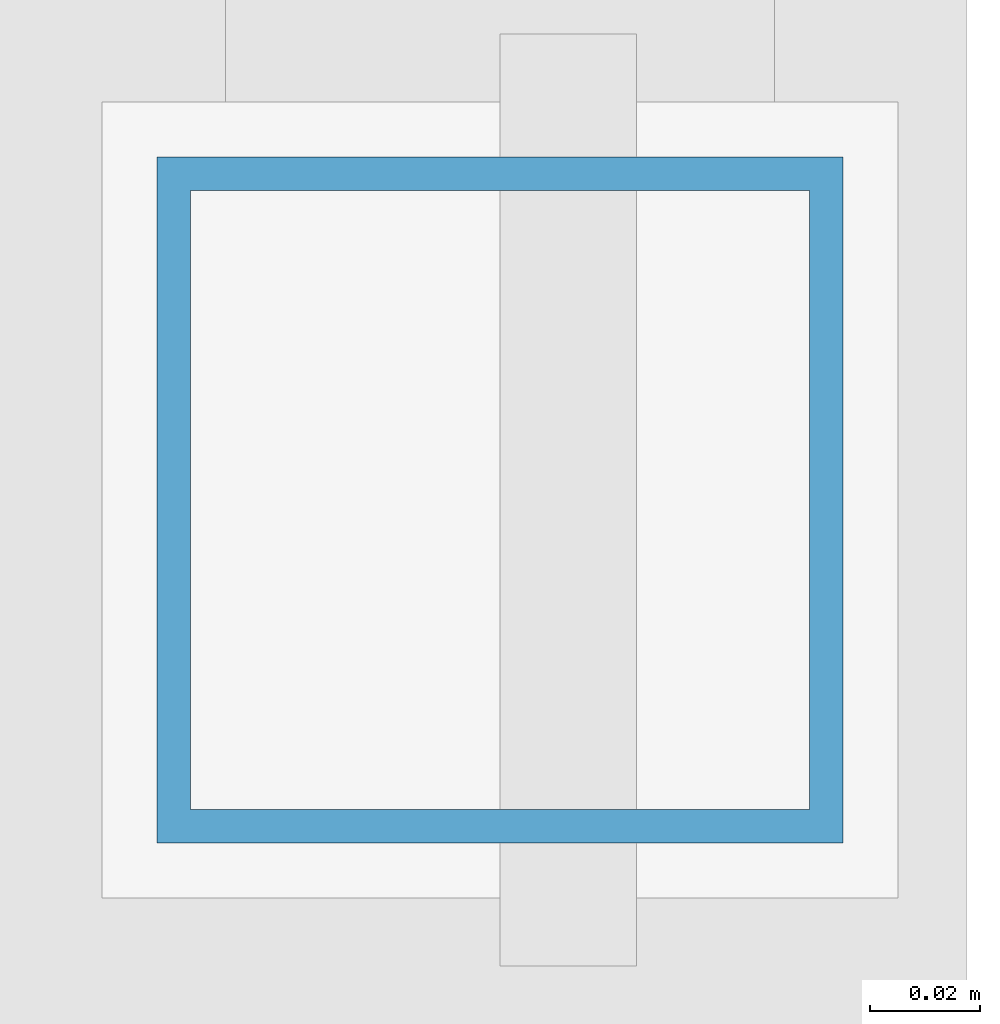
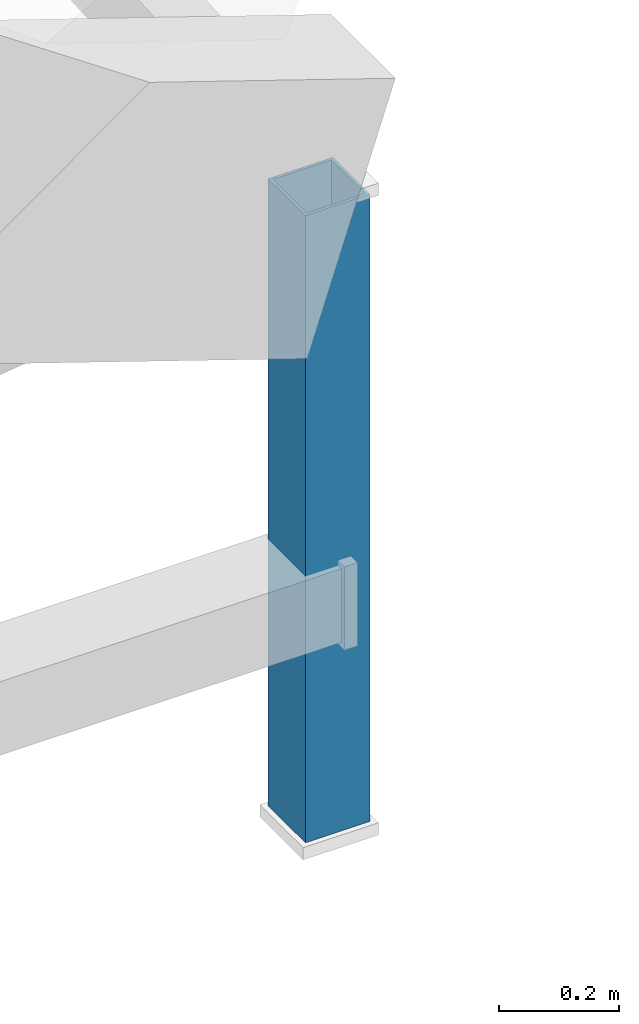
# One storey, part 20 of 134: 1 member.
"""IFC4 building model written with IfcOpenShell, lengths in metres."""

import ifcopenshell
import ifcopenshell.guid

model = None  # the IFC model being written
_history = None  # IfcOwnerHistory: only IFC2X3 demands one
_inside = {}  # id of a spatial element -> (the spatial element, [elements in it])
_under = {}  # id of a project, library or spatial element -> (it, [spatial elements below it])
_declared = {}  # id of a project -> (the project, [libraries it declares])
_typed = {}  # id of a type object -> (the type object, [elements of that type])
_made_of = {}  # id of a material, layer set ... -> (it, [elements and type objects made of it])


def new_model(schema):
    """Start an empty IFC model of exactly this schema.

    Asked for "IFC4X3", IfcOpenShell would pick the latest addendum, in which some entities
    have other attributes; the version numbers below select the first issue.
    IFC2X3 requires an IfcOwnerHistory on every rooted entity: one is made here for all.
    """
    global model, _history
    if schema == "IFC4X3":
        model = ifcopenshell.file(schema_version=(4, 3, 0, 0))
    else:
        model = ifcopenshell.file(schema=schema)
    _inside.clear()
    _under.clear()
    _declared.clear()
    _typed.clear()
    _made_of.clear()
    _history = None
    if model.schema == "IFC2X3":
        org = make("IfcOrganization", Name="unknown")
        user = make(
            "IfcPersonAndOrganization",
            ThePerson=make("IfcPerson", FamilyName="unknown"),
            TheOrganization=org,
        )
        app = make(
            "IfcApplication",
            ApplicationDeveloper=org,
            Version="unknown",
            ApplicationFullName="unknown",
            ApplicationIdentifier="unknown",
        )
        _history = make(
            "IfcOwnerHistory",
            OwningUser=user,
            OwningApplication=app,
            ChangeAction="ADDED",
            CreationDate=0,
        )
    return model


def make(cls, **values):
    """One entity of the class cls with the attributes given. An attribute that is None is left unset."""
    return model.create_entity(
        cls, **{name: value for name, value in values.items() if value is not None}
    )


def rooted(cls, **values):
    """An entity with a GlobalId (a new one), such as an element, a storey or a relation."""
    return make(cls, GlobalId=ifcopenshell.guid.new(), OwnerHistory=_history, **values)


def si_unit(unit_type, name, prefix=None):
    """IfcSIUnit, for example si_unit("LENGTHUNIT", "METRE", prefix="MILLI")."""
    return make("IfcSIUnit", UnitType=unit_type, Prefix=prefix, Name=name)


def assignment(units):
    """IfcUnitAssignment: the units of a project."""
    return None if units is None else make("IfcUnitAssignment", Units=units)


def point(xyz):
    """IfcCartesianPoint."""
    return None if xyz is None else make("IfcCartesianPoint", Coordinates=xyz)


def direction(xyz):
    """IfcDirection."""
    return None if xyz is None else make("IfcDirection", DirectionRatios=xyz)


def frame(location, z_axis=None, x_axis=None):
    """IfcAxis2Placement3D, a coordinate frame: its origin and axes. An axis left out is left unset."""
    return make(
        "IfcAxis2Placement3D",
        Location=point(location),
        Axis=direction(z_axis),
        RefDirection=direction(x_axis),
    )


def frame_2d(location, x_axis=None):
    """IfcAxis2Placement2D, a coordinate frame in the plane: its origin and x axis."""
    return make(
        "IfcAxis2Placement2D", Location=point(location), RefDirection=direction(x_axis)
    )


def origin():
    """The frame at (0, 0, 0) with its axes left unset."""
    return frame((0.0, 0.0, 0.0))


def origin_2d():
    """The frame at (0, 0) in the plane with its x axis left unset."""
    return frame_2d((0.0, 0.0))


def place(relative_to, where):
    """IfcLocalPlacement: puts the frame where relative to a parent placement (None: the world)."""
    return make(
        "IfcLocalPlacement", PlacementRelTo=relative_to, RelativePlacement=where
    )


def context(
    kind, dimensions, precision=None, world=None, true_north=None, identifier=None
):
    """IfcGeometricRepresentationContext, for example the 3D "Model" context."""
    return make(
        "IfcGeometricRepresentationContext",
        ContextIdentifier=identifier,
        ContextType=kind,
        CoordinateSpaceDimension=dimensions,
        Precision=precision,
        WorldCoordinateSystem=world,
        TrueNorth=true_north,
    )


def subcontext(parent, identifier, kind, view, scale=None):
    """IfcGeometricRepresentationSubContext, for example "Body" below "Model"."""
    return make(
        "IfcGeometricRepresentationSubContext",
        ContextIdentifier=identifier,
        ContextType=kind,
        ParentContext=parent,
        TargetScale=scale,
        TargetView=view,
    )


def project(units=None, contexts=None):
    """IfcProject with its units and contexts."""
    return rooted(
        "IfcProject",
        Name="project",
        RepresentationContexts=contexts,
        UnitsInContext=assignment(units),
    )


def spatial(cls, under=None, at=None, **own):
    """A site, building, storey or space (cls), placed at a placement, below another one or the project."""
    s = rooted(cls, ObjectPlacement=at, **own)
    if under is not None:
        _under.setdefault(under.id(), (under, []))[1].append(s)
    return s


def profile(cls, at=None, kind="AREA", **sizes):
    """A parametric profile (cls). Its sizes go by their IFC names, for example OverallWidth=200.0."""
    return make(cls, ProfileType=kind, Position=at, **sizes)


def hollow_rectangle(**sizes):
    """IfcRectangleHollowProfileDef."""
    return profile("IfcRectangleHollowProfileDef", **sizes)


def extrude(swept, where, along, depth):
    """IfcExtrudedAreaSolid: the profile swept, set in the frame where, extruded along a direction by depth."""
    return make(
        "IfcExtrudedAreaSolid",
        SweptArea=swept,
        Position=where,
        ExtrudedDirection=direction(along),
        Depth=depth,
    )


def shape(context_of_items, identifier, shape_type, items):
    """IfcShapeRepresentation: the items that make up one representation, for example the "Body"."""
    return make(
        "IfcShapeRepresentation",
        ContextOfItems=context_of_items,
        RepresentationIdentifier=identifier,
        RepresentationType=shape_type,
        Items=items,
    )


def material(Name=None, Category=None):
    """IfcMaterial."""
    return make("IfcMaterial", Name=Name, Category=Category)


def material_profile(
    of_material, cross_section, Name=None, Category=None, Priority=None
):
    """IfcMaterialProfile: a cross section and its material."""
    return make(
        "IfcMaterialProfile",
        Name=Name,
        Material=of_material,
        Profile=cross_section,
        Priority=Priority,
        Category=Category,
    )


def profile_set(profiles, Name=None, composite=None):
    """IfcMaterialProfileSet."""
    return make(
        "IfcMaterialProfileSet",
        Name=Name,
        MaterialProfiles=profiles,
        CompositeProfile=composite,
    )


def made_of(thing, what):
    """Note that an element or type object is made of a material, layer set ...; save() writes the relation."""
    if what is not None:
        _made_of.setdefault(what.id(), (what, []))[1].append(thing)
    return thing


def type_object(cls, material=None, **own):
    """A type object (cls), such as IfcWallType, which elements share."""
    return made_of(rooted(cls, **own), material)


def element(
    cls,
    number,
    at=None,
    inside=None,
    cuts=None,
    type_object=None,
    material=None,
    context=None,
    identifier="Body",
    shape_type=None,
    held_by="IfcProductDefinitionShape",
    body=None,
    shapes=None,
    **own,
):
    """One element of the class cls, such as IfcWall. Its Tag is "e" and its number.

    at: its placement. inside: the storey or other place that contains it. cuts: it is an
    opening in that element (IfcRelVoidsElement). A single representation is given by context,
    identifier, shape_type and body (its items); several are given by shapes. held_by: the class
    of the entity that holds the representations. save() writes the other relations.
    """
    e = rooted(cls, Tag="e%d" % number, ObjectPlacement=at, **own)
    if body is not None:
        shapes = [shape(context, identifier, shape_type, body)]
    if shapes is not None:
        e.Representation = make(held_by, Representations=shapes)
    if inside is not None:
        _inside.setdefault(inside.id(), (inside, []))[1].append(e)
    if cuts is not None:
        rooted(
            "IfcRelVoidsElement", RelatingBuildingElement=cuts, RelatedOpeningElement=e
        )
    if type_object is not None:
        _typed.setdefault(type_object.id(), (type_object, []))[1].append(e)
    return made_of(e, material)


def aggregate(whole, parts):
    """IfcRelAggregates: a whole, such as a stair, and the parts it consists of."""
    return rooted("IfcRelAggregates", RelatingObject=whole, RelatedObjects=parts)


def save(model, path):
    """Write the relations noted so far, then the file.

    IfcRelAggregates (storeys below a building ...), IfcRelContainedInSpatialStructure (elements
    in a storey), IfcRelDefinesByType, IfcRelAssociatesMaterial and IfcRelDeclares: one each for
    every whole, place, type object, material and project.
    """
    for whole, parts in _under.values():
        aggregate(whole, parts)
    for where, things in _inside.values():
        rooted(
            "IfcRelContainedInSpatialStructure",
            RelatedElements=things,
            RelatingStructure=where,
        )
    for kind, things in _typed.values():
        rooted("IfcRelDefinesByType", RelatedObjects=things, RelatingType=kind)
    for what, things in _made_of.values():
        rooted("IfcRelAssociatesMaterial", RelatedObjects=things, RelatingMaterial=what)
    for by, libraries in _declared.values():
        rooted("IfcRelDeclares", RelatingContext=by, RelatedDefinitions=libraries)
    model.write(path)


model = new_model("IFC4")

# Units and contexts
model_context = context("Model", 3, precision=1e-05, world=origin(), true_north=direction((0.0, 1.0)))
body_context = subcontext(model_context, "Body", "Model", "MODEL_VIEW")
ifc_project = project(units=[si_unit("LENGTHUNIT", "METRE"), si_unit("AREAUNIT", "SQUARE_METRE"), si_unit("VOLUMEUNIT", "CUBIC_METRE"), si_unit("PLANEANGLEUNIT", "RADIAN"), si_unit("MASSUNIT", "GRAM", prefix="KILO")], contexts=[model_context])

# Site, building, storey
site_placement = place(None, origin())
site = spatial("IfcSite", under=ifc_project, at=site_placement, CompositionType="ELEMENT")
building_placement = place(site_placement, origin())
building = spatial("IfcBuilding", under=site, at=building_placement, Name="Karori Crest Natural Sciences Institute", CompositionType="ELEMENT")
storey_placement = place(building_placement, frame((0.0, 0.0, 21.699951171875)))
storey = spatial("IfcBuildingStorey", under=building, at=storey_placement, Name="L05", CompositionType="ELEMENT", Elevation=21.699951171875)

# Member
ifc_material = material(Name="Hollow structural steel AS/NZS 1163 Grade C350", Category="steel")
ifc_material_profile = material_profile(ifc_material, hollow_rectangle(XDim=0.125, YDim=0.125, WallThickness=0.006103515625, at=origin_2d()), Name="SHS125x125x6")
ifc_profile_set = profile_set([ifc_material_profile], Name="Hollow structural steel AS/NZS 1163 Grade C350")
member_type = type_object("IfcMemberType", Name="MT-20", PredefinedType="STRUT", material=ifc_profile_set)
member_placement = place(storey_placement, frame((27.199951171875, 31.199951171875, -0.349853515625), z_axis=(0.0, 0.0, 1.0), x_axis=(1.0, 0.0, 0.0)))
element("IfcMember", 1, at=member_placement, inside=storey, type_object=member_type, Name="Member M-0352", PredefinedType="STRUT", context=body_context, shape_type="SweptSolid", body=[
    extrude(hollow_rectangle(XDim=0.125, YDim=0.125, WallThickness=0.006103515625, at=origin_2d()), origin(), (0.0, 0.0, 1.0), 1.27978515625),
])

save(model, "model.ifc")
